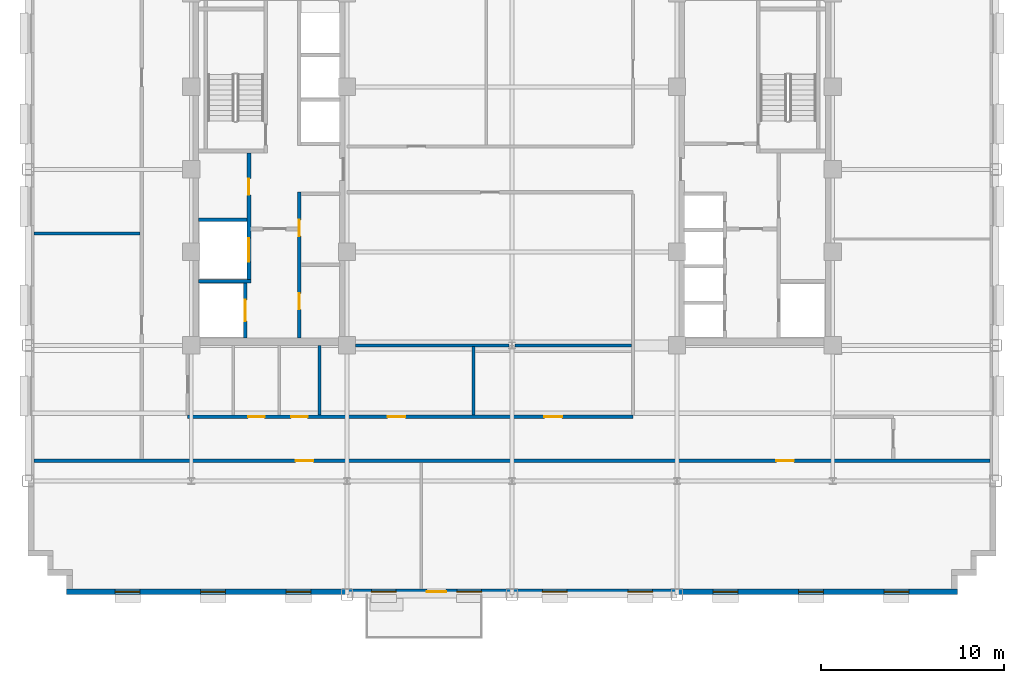
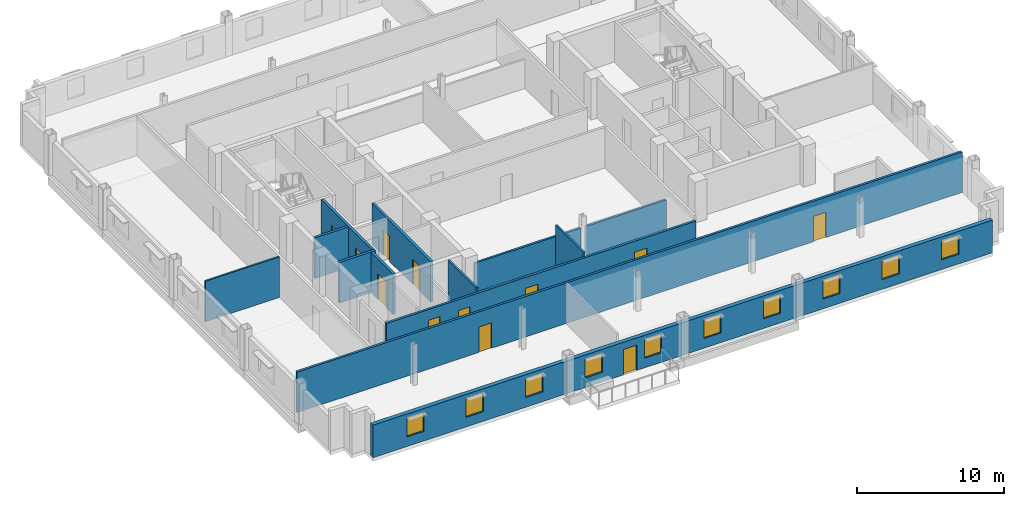
# One storey, part 6 of 14: 13 walls, 12 doors, 10 windows, 22 openings.
"""IFC4 building model written with IfcOpenShell, lengths in metres."""

from ifc_helpers import new_model, si_unit, direction, frame, frame_2d, origin, place, context, subcontext, project, spatial, rectangle, extrude, source, transform, mapped, material, layer, layer_set, type_object, type_shapes, element, fill, save


model = new_model("IFC4")

# Units and contexts
model_context = context("Model", 3, precision=1e-05, world=origin(), true_north=direction((0.0, 1.0)))
body_context = subcontext(model_context, "Body", "Model", "MODEL_VIEW")
ifc_project = project(units=[si_unit("LENGTHUNIT", "METRE"), si_unit("AREAUNIT", "SQUARE_METRE"), si_unit("VOLUMEUNIT", "CUBIC_METRE"), si_unit("PLANEANGLEUNIT", "RADIAN"), si_unit("MASSUNIT", "GRAM", prefix="KILO")], contexts=[model_context])

# Site, building, storey
site_placement = place(None, origin())
site = spatial("IfcSite", under=ifc_project, at=site_placement, CompositionType="ELEMENT")
building_placement = place(site_placement, origin())
building = spatial("IfcBuilding", under=site, at=building_placement, Name="Nuvemarco Arch Tower", CompositionType="ELEMENT")
storey_placement = place(building_placement, frame((0.0, 0.0, 131.14990234375)))
storey = spatial("IfcBuildingStorey", under=building, at=storey_placement, Name="L34", CompositionType="ELEMENT", Elevation=131.14990234375)

# Wall, openings, door, windows
ifc_material_1 = material(Name="Precast concrete C45/55", Category="concrete")
ifc_layer_1 = layer(ifc_material_1, 0.320068359375, Name="EW-MID-320")
ifc_layer_set_1 = layer_set([ifc_layer_1], Name="Precast concrete C45/55")
wall_type_1 = type_object("IfcWallType", Name="EW-MID-320", PredefinedType="STANDARD", material=ifc_layer_set_1)
wall_1_placement = place(storey_placement, frame((-24.300048828125, -23.0400390625, 0.0), z_axis=(0.0, 0.0, 1.0), x_axis=(1.0, 0.0, 0.0)))
wall_1 = element("IfcWall", 1, at=wall_1_placement, inside=storey, type_object=wall_type_1, Name="L34 exterior precast facade wall 1", PredefinedType="STANDARD", context=body_context, shape_type="SweptSolid", body=[
    extrude(rectangle(XDim=48.60009765625, YDim=0.320068359375, at=frame_2d((24.300048828125, 0.0))), origin(), (0.0, 0.0, 1.0), 2.705078125),
])
opening_1_placement = place(wall_1_placement, frame((20.699951171875, 0.0, 0.0), z_axis=(0.0, 0.0, 1.0), x_axis=(-1.0, 0.0, 0.0)))
opening_1 = element("IfcOpeningElement", 2, at=opening_1_placement, cuts=wall_1, Name="Opening ED-5", PredefinedType="OPENING", context=body_context, shape_type="SweptSolid", body=[
    extrude(rectangle(XDim=1.050048828125, YDim=2.10009765625, at=frame_2d((0.52490234375, 1.050048828125))), frame((0.0, 0.169921875, 0.0), z_axis=(0.0, -1.0, 0.0), x_axis=(1.0, 0.0, 0.0)), (0.0, 0.0, 1.0), 0.340087890625),
])
opening_2_placement = place(wall_1_placement, frame((2.655029296875, 0.0, 0.800048828125)))
opening_2 = element("IfcOpeningElement", 3, at=opening_2_placement, cuts=wall_1, Name="Opening WN-6", PredefinedType="OPENING", context=body_context, shape_type="SweptSolid", body=[
    extrude(rectangle(XDim=1.35009765625, YDim=1.56005859375, at=frame_2d((0.675048828125, 0.780029296875))), frame((0.0, 0.169921875, 0.0), z_axis=(0.0, -1.0, 0.0), x_axis=(1.0, 0.0, 0.0)), (0.0, 0.0, 1.0), 0.340087890625),
])
opening_3_placement = place(wall_1_placement, frame((7.31494140625, 0.0, 0.800048828125)))
opening_3 = element("IfcOpeningElement", 4, at=opening_3_placement, cuts=wall_1, Name="Opening WN-6", PredefinedType="OPENING", context=body_context, shape_type="SweptSolid", body=[
    extrude(rectangle(XDim=1.35009765625, YDim=1.56005859375, at=frame_2d((0.675048828125, 0.780029296875))), frame((0.0, 0.169921875, 0.0), z_axis=(0.0, -1.0, 0.0), x_axis=(1.0, 0.0, 0.0)), (0.0, 0.0, 1.0), 0.340087890625),
])
opening_4_placement = place(wall_1_placement, frame((11.97509765625, 0.0, 0.800048828125)))
opening_4 = element("IfcOpeningElement", 5, at=opening_4_placement, cuts=wall_1, Name="Opening WN-6", PredefinedType="OPENING", context=body_context, shape_type="SweptSolid", body=[
    extrude(rectangle(XDim=1.35009765625, YDim=1.56005859375, at=frame_2d((0.675048828125, 0.780029296875))), frame((0.0, 0.169921875, 0.0), z_axis=(0.0, -1.0, 0.0), x_axis=(1.0, 0.0, 0.0)), (0.0, 0.0, 1.0), 0.340087890625),
])
opening_5_placement = place(wall_1_placement, frame((16.635009765625, 0.0, 0.800048828125)))
opening_5 = element("IfcOpeningElement", 6, at=opening_5_placement, cuts=wall_1, Name="Opening WN-6", PredefinedType="OPENING", context=body_context, shape_type="SweptSolid", body=[
    extrude(rectangle(XDim=1.35009765625, YDim=1.56005859375, at=frame_2d((0.675048828125, 0.780029296875))), frame((0.0, 0.169921875, 0.0), z_axis=(0.0, -1.0, 0.0), x_axis=(1.0, 0.0, 0.0)), (0.0, 0.0, 1.0), 0.340087890625),
])
opening_6_placement = place(wall_1_placement, frame((21.294921875, 0.0, 0.800048828125)))
opening_6 = element("IfcOpeningElement", 7, at=opening_6_placement, cuts=wall_1, Name="Opening WN-6", PredefinedType="OPENING", context=body_context, shape_type="SweptSolid", body=[
    extrude(rectangle(XDim=1.35009765625, YDim=1.56005859375, at=frame_2d((0.675048828125, 0.780029296875))), frame((0.0, 0.169921875, 0.0), z_axis=(0.0, -1.0, 0.0), x_axis=(1.0, 0.0, 0.0)), (0.0, 0.0, 1.0), 0.340087890625),
])
opening_7_placement = place(wall_1_placement, frame((25.955078125, 0.0, 0.800048828125)))
opening_7 = element("IfcOpeningElement", 8, at=opening_7_placement, cuts=wall_1, Name="Opening WN-6", PredefinedType="OPENING", context=body_context, shape_type="SweptSolid", body=[
    extrude(rectangle(XDim=1.35009765625, YDim=1.56005859375, at=frame_2d((0.675048828125, 0.780029296875))), frame((0.0, 0.169921875, 0.0), z_axis=(0.0, -1.0, 0.0), x_axis=(1.0, 0.0, 0.0)), (0.0, 0.0, 1.0), 0.340087890625),
])
opening_8_placement = place(wall_1_placement, frame((30.614990234375, 0.0, 0.800048828125)))
opening_8 = element("IfcOpeningElement", 9, at=opening_8_placement, cuts=wall_1, Name="Opening WN-6", PredefinedType="OPENING", context=body_context, shape_type="SweptSolid", body=[
    extrude(rectangle(XDim=1.35009765625, YDim=1.56005859375, at=frame_2d((0.675048828125, 0.780029296875))), frame((0.0, 0.169921875, 0.0), z_axis=(0.0, -1.0, 0.0), x_axis=(1.0, 0.0, 0.0)), (0.0, 0.0, 1.0), 0.340087890625),
])
opening_9_placement = place(wall_1_placement, frame((35.27490234375, 0.0, 0.800048828125)))
opening_9 = element("IfcOpeningElement", 10, at=opening_9_placement, cuts=wall_1, Name="Opening WN-6", PredefinedType="OPENING", context=body_context, shape_type="SweptSolid", body=[
    extrude(rectangle(XDim=1.35009765625, YDim=1.56005859375, at=frame_2d((0.675048828125, 0.780029296875))), frame((0.0, 0.169921875, 0.0), z_axis=(0.0, -1.0, 0.0), x_axis=(1.0, 0.0, 0.0)), (0.0, 0.0, 1.0), 0.340087890625),
])
opening_10_placement = place(wall_1_placement, frame((39.93505859375, 0.0, 0.800048828125)))
opening_10 = element("IfcOpeningElement", 11, at=opening_10_placement, cuts=wall_1, Name="Opening WN-6", PredefinedType="OPENING", context=body_context, shape_type="SweptSolid", body=[
    extrude(rectangle(XDim=1.35009765625, YDim=1.56005859375, at=frame_2d((0.675048828125, 0.780029296875))), frame((0.0, 0.169921875, 0.0), z_axis=(0.0, -1.0, 0.0), x_axis=(1.0, 0.0, 0.0)), (0.0, 0.0, 1.0), 0.340087890625),
])
opening_11_placement = place(wall_1_placement, frame((44.594970703125, 0.0, 0.800048828125)))
opening_11 = element("IfcOpeningElement", 12, at=opening_11_placement, cuts=wall_1, Name="Opening WN-6", PredefinedType="OPENING", context=body_context, shape_type="SweptSolid", body=[
    extrude(rectangle(XDim=1.35009765625, YDim=1.56005859375, at=frame_2d((0.675048828125, 0.780029296875))), frame((0.0, 0.169921875, 0.0), z_axis=(0.0, -1.0, 0.0), x_axis=(1.0, 0.0, 0.0)), (0.0, 0.0, 1.0), 0.340087890625),
])
ifc_material_2 = material(Name="Anodised bronze and laminated glass", Category="glass")
door_type_1 = type_object("IfcDoorType", Name="DR-EXT-TERR", OperationType="NOTDEFINED", PredefinedType="DOOR", material=ifc_material_2)
shared_shape_1 = source(origin(), body_context, "Body", "SweptSolid", [
    extrude(rectangle(XDim=1.050048828125, YDim=2.10009765625, at=frame_2d((0.52490234375, 1.050048828125))), frame((0.0, 0.02490234375, 0.0), z_axis=(0.0, -1.0, 0.0), x_axis=(1.0, 0.0, 0.0)), (0.0, 0.0, 1.0), 0.050048828125),
])
type_shapes(door_type_1, [shared_shape_1])
door_1_placement = place(opening_1_placement, origin())
door_1 = element("IfcDoor", 13, at=door_1_placement, inside=storey, type_object=door_type_1, Name="L34 spiral terrace access door", OperationType="SINGLE_SWING_LEFT", OverallHeight=2.10009765625, OverallWidth=1.050048828125, PredefinedType="DOOR", context=body_context, shape_type="MappedRepresentation", body=[
    mapped(shared_shape_1, transform((0.0, 0.0, 0.0), scale=1.0)),
])
fill(opening_1, door_1)
ifc_material_3 = material(Name="Insulated solar-control glass", Category="glass")
window_type = type_object("IfcWindowType", Name="WN-MID-1350x1560", PartitioningType="SINGLE_PANEL", PredefinedType="WINDOW", material=ifc_material_3)
shared_shape_2 = source(origin(), body_context, "Body", "SweptSolid", [
    extrude(rectangle(XDim=1.35009765625, YDim=1.56005859375, at=frame_2d((0.675048828125, 0.780029296875))), frame((0.0, 0.030029296875, 0.0), z_axis=(0.0, -1.0, 0.0), x_axis=(1.0, 0.0, 0.0)), (0.0, 0.0, 1.0), 0.06005859375),
])
type_shapes(window_type, [shared_shape_2])
window_1_placement = place(opening_2_placement, origin())
window_1 = element("IfcWindow", 14, at=window_1_placement, inside=storey, type_object=window_type, Name="L34 punched facade window 1", OverallHeight=1.56005859375, OverallWidth=1.35009765625, PartitioningType="SINGLE_PANEL", PredefinedType="WINDOW", context=body_context, shape_type="MappedRepresentation", body=[
    mapped(shared_shape_2, transform((0.0, 0.0, 0.0), scale=1.0)),
])
fill(opening_2, window_1)
window_2_placement = place(opening_3_placement, origin())
window_2 = element("IfcWindow", 15, at=window_2_placement, inside=storey, type_object=window_type, Name="L34 punched facade window 2", OverallHeight=1.56005859375, OverallWidth=1.35009765625, PartitioningType="SINGLE_PANEL", PredefinedType="WINDOW", context=body_context, shape_type="MappedRepresentation", body=[
    mapped(shared_shape_2, transform((0.0, 0.0, 0.0), scale=1.0)),
])
fill(opening_3, window_2)
window_3_placement = place(opening_4_placement, origin())
window_3 = element("IfcWindow", 16, at=window_3_placement, inside=storey, type_object=window_type, Name="L34 punched facade window 3", OverallHeight=1.56005859375, OverallWidth=1.35009765625, PartitioningType="SINGLE_PANEL", PredefinedType="WINDOW", context=body_context, shape_type="MappedRepresentation", body=[
    mapped(shared_shape_2, transform((0.0, 0.0, 0.0), scale=1.0)),
])
fill(opening_4, window_3)
window_4_placement = place(opening_5_placement, origin())
window_4 = element("IfcWindow", 17, at=window_4_placement, inside=storey, type_object=window_type, Name="L34 punched facade window 4", OverallHeight=1.56005859375, OverallWidth=1.35009765625, PartitioningType="SINGLE_PANEL", PredefinedType="WINDOW", context=body_context, shape_type="MappedRepresentation", body=[
    mapped(shared_shape_2, transform((0.0, 0.0, 0.0), scale=1.0)),
])
fill(opening_5, window_4)
window_5_placement = place(opening_6_placement, origin())
window_5 = element("IfcWindow", 18, at=window_5_placement, inside=storey, type_object=window_type, Name="L34 punched facade window 5", OverallHeight=1.56005859375, OverallWidth=1.35009765625, PartitioningType="SINGLE_PANEL", PredefinedType="WINDOW", context=body_context, shape_type="MappedRepresentation", body=[
    mapped(shared_shape_2, transform((0.0, 0.0, 0.0), scale=1.0)),
])
fill(opening_6, window_5)
window_6_placement = place(opening_7_placement, origin())
window_6 = element("IfcWindow", 19, at=window_6_placement, inside=storey, type_object=window_type, Name="L34 punched facade window 6", OverallHeight=1.56005859375, OverallWidth=1.35009765625, PartitioningType="SINGLE_PANEL", PredefinedType="WINDOW", context=body_context, shape_type="MappedRepresentation", body=[
    mapped(shared_shape_2, transform((0.0, 0.0, 0.0), scale=1.0)),
])
fill(opening_7, window_6)
window_7_placement = place(opening_8_placement, origin())
window_7 = element("IfcWindow", 20, at=window_7_placement, inside=storey, type_object=window_type, Name="L34 punched facade window 7", OverallHeight=1.56005859375, OverallWidth=1.35009765625, PartitioningType="SINGLE_PANEL", PredefinedType="WINDOW", context=body_context, shape_type="MappedRepresentation", body=[
    mapped(shared_shape_2, transform((0.0, 0.0, 0.0), scale=1.0)),
])
fill(opening_8, window_7)
window_8_placement = place(opening_9_placement, origin())
window_8 = element("IfcWindow", 21, at=window_8_placement, inside=storey, type_object=window_type, Name="L34 punched facade window 8", OverallHeight=1.56005859375, OverallWidth=1.35009765625, PartitioningType="SINGLE_PANEL", PredefinedType="WINDOW", context=body_context, shape_type="MappedRepresentation", body=[
    mapped(shared_shape_2, transform((0.0, 0.0, 0.0), scale=1.0)),
])
fill(opening_9, window_8)
window_9_placement = place(opening_10_placement, origin())
window_9 = element("IfcWindow", 22, at=window_9_placement, inside=storey, type_object=window_type, Name="L34 punched facade window 9", OverallHeight=1.56005859375, OverallWidth=1.35009765625, PartitioningType="SINGLE_PANEL", PredefinedType="WINDOW", context=body_context, shape_type="MappedRepresentation", body=[
    mapped(shared_shape_2, transform((0.0, 0.0, 0.0), scale=1.0)),
])
fill(opening_10, window_9)
window_10_placement = place(opening_11_placement, origin())
window_10 = element("IfcWindow", 23, at=window_10_placement, inside=storey, type_object=window_type, Name="L34 punched facade window 10", OverallHeight=1.56005859375, OverallWidth=1.35009765625, PartitioningType="SINGLE_PANEL", PredefinedType="WINDOW", context=body_context, shape_type="MappedRepresentation", body=[
    mapped(shared_shape_2, transform((0.0, 0.0, 0.0), scale=1.0)),
])
fill(opening_11, window_10)

# Wall, openings, doors
ifc_material_4 = material(Name="Fire-rated gypsum drywall partition")
ifc_layer_2 = layer(ifc_material_4, 0.179931640625, Name="WL-CORR-180")
ifc_layer_set_2 = layer_set([ifc_layer_2], Name="Fire-rated gypsum drywall partition")
wall_type_2 = type_object("IfcWallType", Name="WL-CORR-180", PredefinedType="PARTITIONING", material=ifc_layer_set_2)
wall_2_placement = place(storey_placement, frame((-26.080078125, -15.89990234375, 0.0), z_axis=(0.0, 0.0, 1.0), x_axis=(1.0, 0.0, 0.0)))
wall_2 = element("IfcWall", 24, at=wall_2_placement, inside=storey, type_object=wall_type_2, Name="L34 interior wall IW-L34-001", PredefinedType="PARTITIONING", context=body_context, shape_type="SweptSolid", body=[
    extrude(rectangle(XDim=52.16015625, YDim=0.179931640625, at=frame_2d((26.080078125, 0.0))), origin(), (0.0, 0.0, 1.0), 3.360107421875),
])
opening_12_placement = place(wall_2_placement, frame((14.280029296875, 0.0, 0.0)))
opening_12 = element("IfcOpeningElement", 25, at=opening_12_placement, cuts=wall_2, Name="Opening FD-5", PredefinedType="OPENING", context=body_context, shape_type="SweptSolid", body=[
    extrude(rectangle(XDim=0.9599609375, YDim=2.10009765625, at=frame_2d((0.47998046875, 1.050048828125))), frame((0.0, 0.099853515625, 0.0), z_axis=(0.0, -1.0, 0.0), x_axis=(1.0, 0.0, 0.0)), (0.0, 0.0, 1.0), 0.199951171875),
])
opening_13_placement = place(wall_2_placement, frame((40.5, 0.0, 0.0)))
opening_13 = element("IfcOpeningElement", 26, at=opening_13_placement, cuts=wall_2, Name="Opening FD-5", PredefinedType="OPENING", context=body_context, shape_type="SweptSolid", body=[
    extrude(rectangle(XDim=0.9599609375, YDim=2.10009765625, at=frame_2d((0.47998046875, 1.050048828125))), frame((0.0, 0.099853515625, 0.0), z_axis=(0.0, -1.0, 0.0), x_axis=(1.0, 0.0, 0.0)), (0.0, 0.0, 1.0), 0.199951171875),
])
ifc_material_5 = material(Name="Timber fire door", Category="wood")
door_type_2 = type_object("IfcDoorType", Name="DR-CORR-FD", OperationType="NOTDEFINED", PredefinedType="DOOR", material=ifc_material_5)
shared_shape_3 = source(origin(), body_context, "Body", "SweptSolid", [
    extrude(rectangle(XDim=0.9599609375, YDim=2.10009765625, at=frame_2d((0.47998046875, 1.050048828125))), frame((0.0, 0.02490234375, 0.0), z_axis=(0.0, -1.0, 0.0), x_axis=(1.0, 0.0, 0.0)), (0.0, 0.0, 1.0), 0.050048828125),
])
type_shapes(door_type_2, [shared_shape_3])
door_2_placement = place(opening_12_placement, origin())
door_2 = element("IfcDoor", 27, at=door_2_placement, inside=storey, type_object=door_type_2, Name="L34 door DR-L34-S_1", OperationType="SINGLE_SWING_RIGHT", OverallHeight=2.10009765625, OverallWidth=0.9599609375, PredefinedType="DOOR", context=body_context, shape_type="MappedRepresentation", body=[
    mapped(shared_shape_3, transform((0.0, 0.0, 0.0), scale=1.0)),
])
fill(opening_12, door_2)
door_3_placement = place(opening_13_placement, origin())
door_3 = element("IfcDoor", 28, at=door_3_placement, inside=storey, type_object=door_type_2, Name="L34 door DR-L34-S_2", OperationType="SINGLE_SWING_RIGHT", OverallHeight=2.10009765625, OverallWidth=0.9599609375, PredefinedType="DOOR", context=body_context, shape_type="MappedRepresentation", body=[
    mapped(shared_shape_3, transform((0.0, 0.0, 0.0), scale=1.0)),
])
fill(opening_13, door_3)

wall_3_placement = place(storey_placement, frame((-17.699951171875, -13.5, 0.0), z_axis=(0.0, 0.0, 1.0), x_axis=(1.0, 0.0, 0.0)))
wall_3 = element("IfcWall", 29, at=wall_3_placement, inside=storey, type_object=wall_type_2, Name="L34 interior wall IW-L34-002", PredefinedType="PARTITIONING", context=body_context, shape_type="SweptSolid", body=[
    extrude(rectangle(XDim=24.300048828125, YDim=0.179931640625, at=frame_2d((12.14990234375, 0.0))), origin(), (0.0, 0.0, 1.0), 2.998046875),
])
opening_14_placement = place(wall_3_placement, frame((19.469970703125, 0.0, 0.0)))
opening_14 = element("IfcOpeningElement", 30, at=opening_14_placement, cuts=wall_3, Name="Opening FD-5", PredefinedType="OPENING", context=body_context, shape_type="SweptSolid", body=[
    extrude(rectangle(XDim=0.9599609375, YDim=2.10009765625, at=frame_2d((0.47998046875, 1.050048828125))), frame((0.0, 0.099853515625, 0.0), z_axis=(0.0, -1.0, 0.0), x_axis=(1.0, 0.0, 0.0)), (0.0, 0.0, 1.0), 0.199951171875),
])
opening_15_placement = place(wall_3_placement, frame((10.919921875, 0.0, 0.0)))
opening_15 = element("IfcOpeningElement", 31, at=opening_15_placement, cuts=wall_3, Name="Opening FD-5", PredefinedType="OPENING", context=body_context, shape_type="SweptSolid", body=[
    extrude(rectangle(XDim=0.9599609375, YDim=2.10009765625, at=frame_2d((0.47998046875, 1.050048828125))), frame((0.0, 0.099853515625, 0.0), z_axis=(0.0, -1.0, 0.0), x_axis=(1.0, 0.0, 0.0)), (0.0, 0.0, 1.0), 0.199951171875),
])
opening_16_placement = place(wall_3_placement, frame((3.300048828125, 0.0, 0.0)))
opening_16 = element("IfcOpeningElement", 32, at=opening_16_placement, cuts=wall_3, Name="Opening ID-3", PredefinedType="OPENING", context=body_context, shape_type="SweptSolid", body=[
    extrude(rectangle(XDim=0.89990234375, YDim=2.10009765625, at=frame_2d((0.449951171875, 1.050048828125))), frame((0.0, 0.099853515625, 0.0), z_axis=(0.0, -1.0, 0.0), x_axis=(1.0, 0.0, 0.0)), (0.0, 0.0, 1.0), 0.199951171875),
])
opening_17_placement = place(wall_3_placement, frame((5.64990234375, 0.0, 0.0)))
opening_17 = element("IfcOpeningElement", 33, at=opening_17_placement, cuts=wall_3, Name="Opening ID-3", PredefinedType="OPENING", context=body_context, shape_type="SweptSolid", body=[
    extrude(rectangle(XDim=0.89990234375, YDim=2.10009765625, at=frame_2d((0.449951171875, 1.050048828125))), frame((0.0, 0.099853515625, 0.0), z_axis=(0.0, -1.0, 0.0), x_axis=(1.0, 0.0, 0.0)), (0.0, 0.0, 1.0), 0.199951171875),
])
door_4_placement = place(opening_14_placement, origin())
door_4 = element("IfcDoor", 34, at=door_4_placement, inside=storey, type_object=door_type_2, Name="L34 door DR-L34-IN_S2", OperationType="SINGLE_SWING_RIGHT", OverallHeight=2.10009765625, OverallWidth=0.9599609375, PredefinedType="DOOR", context=body_context, shape_type="MappedRepresentation", body=[
    mapped(shared_shape_3, transform((0.0, 0.0, 0.0), scale=1.0)),
])
fill(opening_14, door_4)
door_5_placement = place(opening_15_placement, origin())
door_5 = element("IfcDoor", 35, at=door_5_placement, inside=storey, type_object=door_type_2, Name="L34 door DR-L34-IN_S1", OperationType="SINGLE_SWING_LEFT", OverallHeight=2.10009765625, OverallWidth=0.9599609375, PredefinedType="DOOR", context=body_context, shape_type="MappedRepresentation", body=[
    mapped(shared_shape_3, transform((0.0, 0.0, 0.0), scale=1.0)),
])
fill(opening_15, door_5)
ifc_material_6 = material(Name="Veneered oak timber fire door", Category="wood")
door_type_3 = type_object("IfcDoorType", Name="DR-WC-ACC", OperationType="NOTDEFINED", PredefinedType="DOOR", material=ifc_material_6)
shared_shape_4 = source(origin(), body_context, "Body", "SweptSolid", [
    extrude(rectangle(XDim=0.89990234375, YDim=2.10009765625, at=frame_2d((0.449951171875, 1.050048828125))), frame((0.0, 0.02490234375, 0.0), z_axis=(0.0, -1.0, 0.0), x_axis=(1.0, 0.0, 0.0)), (0.0, 0.0, 1.0), 0.050048828125),
])
type_shapes(door_type_3, [shared_shape_4])
door_6_placement = place(opening_16_placement, origin())
door_6 = element("IfcDoor", 36, at=door_6_placement, inside=storey, type_object=door_type_3, Name="L34 door DR-L34-WC_F", OperationType="SINGLE_SWING_LEFT", OverallHeight=2.10009765625, OverallWidth=0.89990234375, PredefinedType="DOOR", context=body_context, shape_type="MappedRepresentation", body=[
    mapped(shared_shape_4, transform((0.0, 0.0, 0.0), scale=1.0)),
])
fill(opening_16, door_6)
door_7_placement = place(opening_17_placement, origin())
door_7 = element("IfcDoor", 37, at=door_7_placement, inside=storey, type_object=door_type_3, Name="L34 door DR-L34-WC_ACC", OperationType="SINGLE_SWING_RIGHT", OverallHeight=2.10009765625, OverallWidth=0.89990234375, PredefinedType="DOOR", context=body_context, shape_type="MappedRepresentation", body=[
    mapped(shared_shape_4, transform((0.0, 0.0, 0.0), scale=1.0)),
])
fill(opening_17, door_7)

# Walls
ifc_material_7 = material(Name="Gypsum plasterboard partition")
ifc_layer_3 = layer(ifc_material_7, 0.139892578125, Name="WL-ROOM-140")
ifc_layer_set_3 = layer_set([ifc_layer_3], Name="Gypsum plasterboard partition")
wall_type_3 = type_object("IfcWallType", Name="WL-ROOM-140", PredefinedType="PARTITIONING", material=ifc_layer_set_3)
wall_4_placement = place(storey_placement, frame((-26.080078125, -3.5, 0.0), z_axis=(0.0, 0.0, 1.0), x_axis=(1.0, 0.0, 0.0)))
element("IfcWall", 38, at=wall_4_placement, inside=storey, type_object=wall_type_3, Name="L34 interior wall IW-L34-007", PredefinedType="PARTITIONING", context=body_context, shape_type="SweptSolid", body=[
    extrude(rectangle(XDim=5.794189453125, YDim=0.139892578125, at=frame_2d((2.89697265625, 0.0))), origin(), (0.0, 0.0, 1.0), 3.360107421875),
])
wall_5_placement = place(storey_placement, frame((-2.10009765625, -13.4140625, 0.0), z_axis=(0.0, 0.0, 1.0), x_axis=(0.0, 1.0, 0.0)))
element("IfcWall", 39, at=wall_5_placement, inside=storey, type_object=wall_type_3, Name="L34 interior wall IW-L34-022", PredefinedType="PARTITIONING", context=body_context, shape_type="SweptSolid", body=[
    extrude(rectangle(XDim=3.738037109375, YDim=0.139892578125, at=frame_2d((1.869140625, 0.0))), origin(), (0.0, 0.0, 1.0), 3.360107421875),
])

# Wall, opening, door
ifc_material_8 = material(Name="Concrete C50/60", Category="concrete")
ifc_layer_4 = layer(ifc_material_8, 0.199951171875, Name="WL-SHAFT-220")
ifc_layer_set_4 = layer_set([ifc_layer_4], Name="Concrete C50/60")
wall_type_4 = type_object("IfcWallType", Name="WL-SHAFT-220", PredefinedType="SHEAR", material=ifc_layer_set_4)
wall_6_placement = place(storey_placement, frame((-14.550048828125, -9.205078125, 0.0), z_axis=(0.0, 0.0, 1.0), x_axis=(0.0, 1.0, 0.0)))
wall_6 = element("IfcWall", 40, at=wall_6_placement, inside=storey, type_object=wall_type_4, Name="L34 structural shaft wall SW-L34-W-SHE", PredefinedType="SHEAR", context=body_context, shape_type="SweptSolid", body=[
    extrude(rectangle(XDim=3.010009765625, YDim=0.199951171875, at=frame_2d((1.5048828125, 0.0))), origin(), (0.0, 0.0, 1.0), 3.3701171875),
])
opening_18_placement = place(wall_6_placement, frame((0.929931640625, 0.0, 0.0)))
opening_18 = element("IfcOpeningElement", 41, at=opening_18_placement, cuts=wall_6, Name="Opening LD-2", PredefinedType="OPENING", context=body_context, shape_type="SweptSolid", body=[
    extrude(rectangle(XDim=1.14990234375, YDim=2.14990234375, at=frame_2d((0.574951171875, 1.074951171875))), frame((0.0, 0.10986328125, 0.0), z_axis=(0.0, -1.0, 0.0), x_axis=(1.0, 0.0, 0.0)), (0.0, 0.0, 1.0), 0.219970703125),
])
ifc_material_9 = material(Name="Stainless steel lift door", Category="steel")
door_type_4 = type_object("IfcDoorType", Name="DR-LIFT-FIRE", OperationType="DOUBLE_DOOR_SLIDING", PredefinedType="DOOR", material=ifc_material_9)
shared_shape_5 = source(origin(), body_context, "Body", "SweptSolid", [
    extrude(rectangle(XDim=1.14990234375, YDim=2.14990234375, at=frame_2d((0.574951171875, 1.074951171875))), frame((0.0, 0.02490234375, 0.0), z_axis=(0.0, -1.0, 0.0), x_axis=(1.0, 0.0, 0.0)), (0.0, 0.0, 1.0), 0.050048828125),
])
type_shapes(door_type_4, [shared_shape_5])
door_8_placement = place(opening_18_placement, origin())
door_8 = element("IfcDoor", 42, at=door_8_placement, inside=storey, type_object=door_type_4, Name="L34 Lift landing sliding door FFL-1", OperationType="DOUBLE_DOOR_SLIDING", OverallHeight=2.14990234375, OverallWidth=1.14990234375, PredefinedType="DOOR", context=body_context, shape_type="MappedRepresentation", body=[
    mapped(shared_shape_5, transform((0.0, 0.0, 0.0), scale=1.0)),
])
fill(opening_18, door_8)

# Wall, openings, doors
wall_7_placement = place(storey_placement, frame((-14.35009765625, -6.199951171875, 0.0), z_axis=(0.0, 0.0, 1.0), x_axis=(0.0, 1.0, 0.0)))
wall_7 = element("IfcWall", 43, at=wall_7_placement, inside=storey, type_object=wall_type_4, Name="L34 structural shaft wall SW-L34-W-SVE", PredefinedType="SHEAR", context=body_context, shape_type="SweptSolid", body=[
    extrude(rectangle(XDim=7.10498046875, YDim=0.199951171875, at=frame_2d((3.552490234375, 0.0))), origin(), (0.0, 0.0, 1.0), 3.3701171875),
])
opening_19_placement = place(wall_7_placement, frame((5.68994140625, 0.0, 0.0), z_axis=(0.0, 0.0, 1.0), x_axis=(-1.0, 0.0, 0.0)))
opening_19 = element("IfcOpeningElement", 44, at=opening_19_placement, cuts=wall_7, Name="Opening FD-4", PredefinedType="OPENING", context=body_context, shape_type="SweptSolid", body=[
    extrude(rectangle(XDim=0.8798828125, YDim=2.10009765625, at=frame_2d((0.43994140625, 1.050048828125))), frame((0.0, 0.10986328125, 0.0), z_axis=(0.0, -1.0, 0.0), x_axis=(1.0, 0.0, 0.0)), (0.0, 0.0, 1.0), 0.219970703125),
])
opening_20_placement = place(wall_7_placement, frame((1.14990234375, 0.0, 0.0)))
opening_20 = element("IfcOpeningElement", 45, at=opening_20_placement, cuts=wall_7, Name="Opening LD-3", PredefinedType="OPENING", context=body_context, shape_type="SweptSolid", body=[
    extrude(rectangle(XDim=1.300048828125, YDim=2.199951171875, at=frame_2d((0.64990234375, 1.10009765625))), frame((0.0, 0.10986328125, 0.0), z_axis=(0.0, -1.0, 0.0), x_axis=(1.0, 0.0, 0.0)), (0.0, 0.0, 1.0), 0.219970703125),
])
ifc_material_10 = material(Name="Anodised steel fire door", Category="steel")
door_type_5 = type_object("IfcDoorType", Name="DR-RISER-FD", OperationType="NOTDEFINED", PredefinedType="DOOR", material=ifc_material_10)
shared_shape_6 = source(origin(), body_context, "Body", "SweptSolid", [
    extrude(rectangle(XDim=0.8798828125, YDim=2.10009765625, at=frame_2d((0.43994140625, 1.050048828125))), frame((0.0, 0.02490234375, 0.0), z_axis=(0.0, -1.0, 0.0), x_axis=(1.0, 0.0, 0.0)), (0.0, 0.0, 1.0), 0.050048828125),
])
type_shapes(door_type_5, [shared_shape_6])
door_9_placement = place(opening_19_placement, origin())
door_9 = element("IfcDoor", 46, at=door_9_placement, inside=storey, type_object=door_type_5, Name="L34 door FD-L34-WRIS", OperationType="SINGLE_SWING_LEFT", OverallHeight=2.10009765625, OverallWidth=0.8798828125, PredefinedType="DOOR", context=body_context, shape_type="MappedRepresentation", body=[
    mapped(shared_shape_6, transform((0.0, 0.0, 0.0), scale=1.0)),
])
fill(opening_19, door_9)
door_type_6 = type_object("IfcDoorType", Name="DR-LIFT-SERV", OperationType="DOUBLE_DOOR_SLIDING", PredefinedType="DOOR", material=ifc_material_9)
shared_shape_7 = source(origin(), body_context, "Body", "SweptSolid", [
    extrude(rectangle(XDim=1.300048828125, YDim=2.199951171875, at=frame_2d((0.64990234375, 1.10009765625))), frame((0.0, 0.02490234375, 0.0), z_axis=(0.0, -1.0, 0.0), x_axis=(1.0, 0.0, 0.0)), (0.0, 0.0, 1.0), 0.050048828125),
])
type_shapes(door_type_6, [shared_shape_7])
door_10_placement = place(opening_20_placement, origin())
door_10 = element("IfcDoor", 47, at=door_10_placement, inside=storey, type_object=door_type_6, Name="L34 Lift landing sliding door SVL-1", OperationType="DOUBLE_DOOR_SLIDING", OverallHeight=2.199951171875, OverallWidth=1.300048828125, PredefinedType="DOOR", context=body_context, shape_type="MappedRepresentation", body=[
    mapped(shared_shape_7, transform((0.0, 0.0, 0.0), scale=1.0)),
])
fill(opening_20, door_10)

# Walls
wall_8_placement = place(storey_placement, frame((-17.10498046875, -6.10009765625, 0.0), z_axis=(0.0, 0.0, 1.0), x_axis=(1.0, 0.0, 0.0)))
element("IfcWall", 48, at=wall_8_placement, inside=storey, type_object=wall_type_4, Name="L34 structural shaft wall SW-L34-W-SH1", PredefinedType="SHEAR", context=body_context, shape_type="SweptSolid", body=[
    extrude(rectangle(XDim=2.85498046875, YDim=0.199951171875, at=frame_2d((1.427490234375, 0.0))), origin(), (0.0, 0.0, 1.0), 3.3701171875),
])
wall_9_placement = place(storey_placement, frame((-17.10498046875, -2.75, 0.0), z_axis=(0.0, 0.0, 1.0), x_axis=(1.0, 0.0, 0.0)))
element("IfcWall", 49, at=wall_9_placement, inside=storey, type_object=wall_type_4, Name="L34 structural shaft wall SW-L34-W-SH2", PredefinedType="SHEAR", context=body_context, shape_type="SweptSolid", body=[
    extrude(rectangle(XDim=2.659912109375, YDim=0.199951171875, at=frame_2d((1.330078125, 0.0))), origin(), (0.0, 0.0, 1.0), 3.3701171875),
])

# Wall, openings, doors
wall_10_placement = place(storey_placement, frame((-11.60009765625, -9.205078125, 0.0), z_axis=(0.0, 0.0, 1.0), x_axis=(0.0, 1.0, 0.0)))
wall_10 = element("IfcWall", 50, at=wall_10_placement, inside=storey, type_object=wall_type_4, Name="L34 structural shaft wall SW-L34-W-PLW", PredefinedType="SHEAR", context=body_context, shape_type="SweptSolid", body=[
    extrude(rectangle(XDim=7.97509765625, YDim=0.199951171875, at=frame_2d((3.987548828125, 0.0))), origin(), (0.0, 0.0, 1.0), 3.3701171875),
])
opening_21_placement = place(wall_10_placement, frame((1.56494140625, 0.0, 0.0)))
opening_21 = element("IfcOpeningElement", 51, at=opening_21_placement, cuts=wall_10, Name="Opening FD-4", PredefinedType="OPENING", context=body_context, shape_type="SweptSolid", body=[
    extrude(rectangle(XDim=0.8798828125, YDim=2.10009765625, at=frame_2d((0.43994140625, 1.050048828125))), frame((0.0, 0.10986328125, 0.0), z_axis=(0.0, -1.0, 0.0), x_axis=(1.0, 0.0, 0.0)), (0.0, 0.0, 1.0), 0.219970703125),
])
opening_22_placement = place(wall_10_placement, frame((5.56494140625, 0.0, 0.0)))
opening_22 = element("IfcOpeningElement", 52, at=opening_22_placement, cuts=wall_10, Name="Opening FD-4", PredefinedType="OPENING", context=body_context, shape_type="SweptSolid", body=[
    extrude(rectangle(XDim=0.8798828125, YDim=2.10009765625, at=frame_2d((0.43994140625, 1.050048828125))), frame((0.0, 0.10986328125, 0.0), z_axis=(0.0, -1.0, 0.0), x_axis=(1.0, 0.0, 0.0)), (0.0, 0.0, 1.0), 0.219970703125),
])
door_11_placement = place(opening_21_placement, origin())
door_11 = element("IfcDoor", 53, at=door_11_placement, inside=storey, type_object=door_type_5, Name="L34 door FD-L34-WREC1", OperationType="SINGLE_SWING_LEFT", OverallHeight=2.10009765625, OverallWidth=0.8798828125, PredefinedType="DOOR", context=body_context, shape_type="MappedRepresentation", body=[
    mapped(shared_shape_6, transform((0.0, 0.0, 0.0), scale=1.0)),
])
fill(opening_21, door_11)
door_12_placement = place(opening_22_placement, origin())
door_12 = element("IfcDoor", 54, at=door_12_placement, inside=storey, type_object=door_type_5, Name="L34 door FD-L34-WREC2", OperationType="SINGLE_SWING_RIGHT", OverallHeight=2.10009765625, OverallWidth=0.8798828125, PredefinedType="DOOR", context=body_context, shape_type="MappedRepresentation", body=[
    mapped(shared_shape_6, transform((0.0, 0.0, 0.0), scale=1.0)),
])
fill(opening_22, door_12)

# Walls
ifc_material_11 = material(Name="Acoustic gypsum drywall partition")
ifc_layer_5 = layer(ifc_material_11, 0.159912109375, Name="WL-TENANT-160")
ifc_layer_set_5 = layer_set([ifc_layer_5], Name="Acoustic gypsum drywall partition")
wall_type_5 = type_object("IfcWallType", Name="WL-TENANT-160", PredefinedType="PARTITIONING", material=ifc_layer_set_5)
wall_11_placement = place(storey_placement, frame((-8.529052734375, -9.60009765625, 0.0), z_axis=(0.0, 0.0, 1.0), x_axis=(1.0, 0.0, 0.0)))
element("IfcWall", 55, at=wall_11_placement, inside=storey, type_object=wall_type_5, Name="L34 interior wall IW-L34-004", PredefinedType="PARTITIONING", context=body_context, shape_type="SweptSolid", body=[
    extrude(rectangle(XDim=8.35302734375, YDim=0.159912109375, at=frame_2d((4.176513671875, 0.0))), origin(), (0.0, 0.0, 1.0), 2.405029296875),
])
wall_12_placement = place(storey_placement, frame((0.176025390625, -9.60009765625, 0.0), z_axis=(0.0, 0.0, 1.0), x_axis=(1.0, 0.0, 0.0)))
element("IfcWall", 56, at=wall_12_placement, inside=storey, type_object=wall_type_5, Name="L34 interior wall IW-L34-005", PredefinedType="PARTITIONING", context=body_context, shape_type="SweptSolid", body=[
    extrude(rectangle(XDim=6.337890625, YDim=0.159912109375, at=frame_2d((3.1689453125, 0.0))), origin(), (0.0, 0.0, 1.0), 2.405029296875),
])
ifc_material_12 = material(Name="Moisture-resistant gypsum partition")
ifc_layer_6 = layer(ifc_material_12, 0.14990234375, Name="WL-WET-150")
ifc_layer_set_6 = layer_set([ifc_layer_6], Name="Moisture-resistant gypsum partition")
wall_type_6 = type_object("IfcWallType", Name="WL-WET-150", PredefinedType="PARTITIONING", material=ifc_layer_set_6)
wall_13_placement = place(storey_placement, frame((-10.5, -13.4140625, 0.0), z_axis=(0.0, 0.0, 1.0), x_axis=(0.0, 1.0, 0.0)))
element("IfcWall", 57, at=wall_13_placement, inside=storey, type_object=wall_type_6, Name="L34 interior wall IW-L34-020", PredefinedType="PARTITIONING", context=body_context, shape_type="SweptSolid", body=[
    extrude(rectangle(XDim=3.81396484375, YDim=0.14990234375, at=frame_2d((1.906982421875, 0.0))), origin(), (0.0, 0.0, 1.0), 3.360107421875),
])

save(model, "model.ifc")
